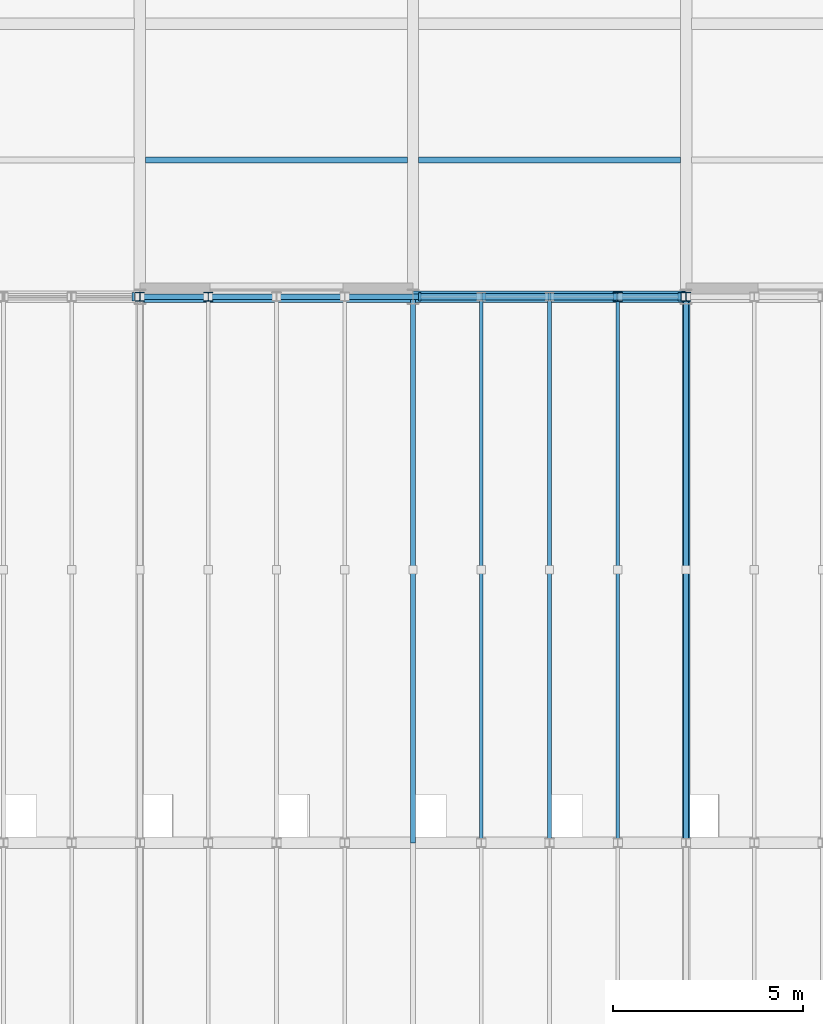
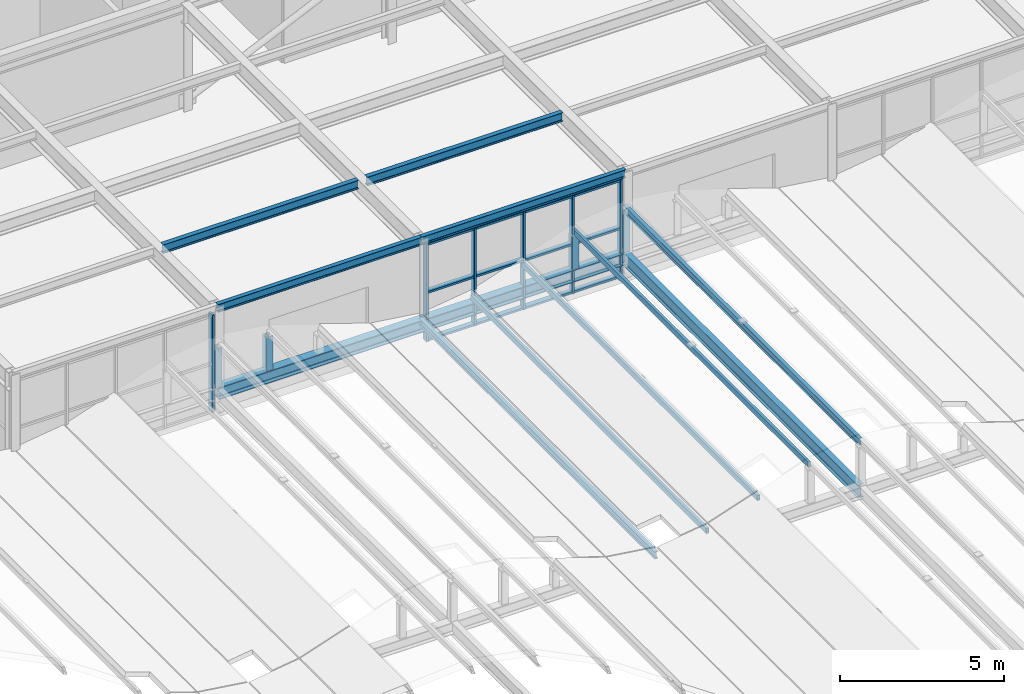
# One storey, part 34 of 83: 18 members, 6 beams, 2 elements without a shape of their own.
"""IFC4 building model written with IfcOpenShell, lengths in metres."""

from ifc_helpers import new_model, si_unit, direction, frame, origin, origin_2d, place, context, subcontext, project, spatial, rectangle, hollow_rectangle, i_section, extrude, material, material_profile, profile_set, type_object, element, aggregate, save


model = new_model("IFC4")

# Units and contexts
model_context = context("Model", 3, precision=1e-05, world=origin(), true_north=direction((0.0, 1.0)))
body_context = subcontext(model_context, "Body", "Model", "MODEL_VIEW")
ifc_project = project(units=[si_unit("LENGTHUNIT", "METRE"), si_unit("AREAUNIT", "SQUARE_METRE"), si_unit("VOLUMEUNIT", "CUBIC_METRE"), si_unit("PLANEANGLEUNIT", "RADIAN"), si_unit("MASSUNIT", "GRAM", prefix="KILO")], contexts=[model_context])

# Site, building, storey
site_placement = place(None, origin())
site = spatial("IfcSite", under=ifc_project, at=site_placement, CompositionType="ELEMENT")
building_placement = place(site_placement, origin())
building = spatial("IfcBuilding", under=site, at=building_placement, Name="Leyfeld Transit Interchange", CompositionType="ELEMENT")
storey_placement = place(building_placement, frame((0.0, 0.0, 5.39990234375)))
storey = spatial("IfcBuildingStorey", under=building, at=storey_placement, Name="L01", CompositionType="ELEMENT", Elevation=5.39990234375)

# Beams
ifc_material_1 = material(Name="Steel S355J2", Category="steel")
ifc_material_profile_1 = material_profile(ifc_material_1, i_section(OverallWidth=0.300048828125, OverallDepth=0.449951171875, WebThickness=0.013916015625, FlangeThickness=0.02587890625, FilletRadius=0.027099609375, at=origin_2d()), Name="HEB 450")
ifc_profile_set_1 = profile_set([ifc_material_profile_1], Name="Steel S355J2")
beam_type_1 = type_object("IfcBeamType", Name="BM-STL-HEB450", PredefinedType="JOIST", material=ifc_profile_set_1)
beam_1_placement = place(storey_placement, frame((144.0, 43.199951171875, 0.675048828125), z_axis=(1.0, 0.0, 0.0), x_axis=(0.0, 1.0, 0.0)))
element("IfcBeam", 1, at=beam_1_placement, inside=storey, type_object=beam_type_1, Name="Bus Canopy Longitudinal Girder R4 B4", PredefinedType="JOIST", context=body_context, shape_type="SweptSolid", body=[
    extrude(i_section(OverallWidth=0.300048828125, OverallDepth=0.449951171875, WebThickness=0.013916015625, FlangeThickness=0.02587890625, FilletRadius=0.027099609375, at=origin_2d()), origin(), (0.0, 0.0, 1.0), 14.39990234375),
])
ifc_material_profile_2 = material_profile(ifc_material_1, i_section(OverallWidth=0.14990234375, OverallDepth=0.300048828125, WebThickness=0.007080078125, FlangeThickness=0.0107421875, FilletRadius=0.014892578125, at=origin_2d()), Name="IPE 300")
ifc_profile_set_2 = profile_set([ifc_material_profile_2], Name="Steel S355J2")
beam_type_2 = type_object("IfcBeamType", Name="BM-STL-IPE300", PredefinedType="SPANDREL", material=ifc_profile_set_2)
for number, where, z_axis, x_axis, name in (
    (2, (144.0, 43.199951171875, 3.800048828125), (1.0, 0.0, 0.0), (0.0, 1.0, 0.0), "Beam BM-L01-1440_0432-1512_0432"),
    (3, (151.199951171875, 43.199951171875, 3.800048828125), (1.0, 0.0, 0.0), (0.0, 1.0, 0.0), "Beam BM-L01-1512_0432-1584_0432"),
):
    element("IfcBeam", number, at=place(storey_placement, frame(where, z_axis=z_axis, x_axis=x_axis)), inside=storey, type_object=beam_type_2, Name=name, PredefinedType="SPANDREL", context=body_context, shape_type="SweptSolid", body=[
        extrude(i_section(OverallWidth=0.14990234375, OverallDepth=0.300048828125, WebThickness=0.007080078125, FlangeThickness=0.0107421875, FilletRadius=0.014892578125, at=origin_2d()), origin(), (0.0, 0.0, 1.0), 7.199951171875),
    ])
ifc_material_profile_3 = material_profile(ifc_material_1, i_section(OverallWidth=0.159912109375, OverallDepth=0.330078125, WebThickness=0.007568359375, FlangeThickness=0.011474609375, FilletRadius=0.01806640625, at=origin_2d()), Name="IPE 330")
ifc_profile_set_3 = profile_set([ifc_material_profile_3], Name="Steel S355J2")
beam_type_3 = type_object("IfcBeamType", Name="BM-STL-IPE330", PredefinedType="BEAM", material=ifc_profile_set_3)
for number, where, z_axis, x_axis, name in (
    (4, (144.14697265625, 46.800048828125, 3.78515625), (1.0, 0.0, 0.0), (0.0, 1.0, 0.0), "Beam BM-L01-1441_0468-1511_0468"),
    (5, (151.346923828125, 46.800048828125, 3.78515625), (1.0, 0.0, 0.0), (0.0, 1.0, 0.0), "Beam BM-L01-1513_0468-1583_0468"),
):
    element("IfcBeam", number, at=place(storey_placement, frame(where, z_axis=z_axis, x_axis=x_axis)), inside=storey, type_object=beam_type_3, Name=name, PredefinedType="BEAM", context=body_context, shape_type="SweptSolid", body=[
        extrude(i_section(OverallWidth=0.159912109375, OverallDepth=0.330078125, WebThickness=0.007568359375, FlangeThickness=0.011474609375, FilletRadius=0.01806640625, at=origin_2d()), origin(), (0.0, 0.0, 1.0), 6.906005859375),
    ])
ifc_material_profile_4 = material_profile(ifc_material_1, i_section(OverallWidth=0.199951171875, OverallDepth=0.5, WebThickness=0.01025390625, FlangeThickness=0.01611328125, FilletRadius=0.02099609375, at=origin_2d()), Name="IPE 500")
ifc_profile_set_4 = profile_set([ifc_material_profile_4], Name="Steel S355J2")
beam_type_4 = type_object("IfcBeamType", Name="BM-STL-IPE500", PredefinedType="BEAM", material=ifc_profile_set_4)
beam_2_placement = place(storey_placement, frame((158.39990234375, 28.800048828125, 0.650146484375), z_axis=(0.0, 1.0, 0.0), x_axis=(-1.0, 0.0, 0.0)))
element("IfcBeam", 6, at=beam_2_placement, inside=storey, type_object=beam_type_4, Name="Bus Canopy Transverse Portal Girder B5 R3", PredefinedType="BEAM", context=body_context, shape_type="SweptSolid", body=[
    extrude(i_section(OverallWidth=0.199951171875, OverallDepth=0.5, WebThickness=0.01025390625, FlangeThickness=0.01611328125, FilletRadius=0.02099609375, at=origin_2d()), origin(), (0.0, 0.0, 1.0), 14.39990234375),
])

# Curtain wall, members
ifc_material_2 = material(Name="Anodised aluminium EN AW-6060 T66", Category="aluminium")
curtain_wall_type = type_object("IfcCurtainWallType", Name="CW-SYS-BUS-7200", PredefinedType="NOTDEFINED", material=ifc_material_2)
curtain_wall_1_placement = place(storey_placement, origin())
curtain_wall_1 = element("IfcCurtainWall", 7, at=curtain_wall_1_placement, inside=storey, type_object=curtain_wall_type, Name="Curtain Wall CW-L01-098", PredefinedType="NOTDEFINED")
ifc_material_profile_5 = material_profile(ifc_material_2, rectangle(XDim=0.074951171875, YDim=0.219970703125, at=origin_2d()), Name="CW-M 75x220")
ifc_profile_set_5 = profile_set([ifc_material_profile_5], Name="Anodised aluminium EN AW-6060 T66")
member_type_1 = type_object("IfcMemberType", Name="CW-MUL-180x70", PredefinedType="MULLION", material=ifc_profile_set_5)
member_1_placement = place(storey_placement, frame((158.222412109375, 43.199951171875, 0.0), z_axis=(0.0, 0.0, 1.0), x_axis=(-1.0, 0.0, 0.0)))
member_1 = element("IfcMember", 8, at=member_1_placement, type_object=member_type_1, Name="Curtain Mullion CW-L01-098-M01", PredefinedType="MULLION", context=body_context, shape_type="SweptSolid", body=[
    extrude(rectangle(XDim=0.074951171875, YDim=0.219970703125, at=origin_2d()), origin(), (0.0, 0.0, 1.0), 3.650146484375),
])
member_2_placement = place(storey_placement, frame((156.530029296875, 43.199951171875, 0.0), z_axis=(0.0, 0.0, 1.0), x_axis=(-1.0, 0.0, 0.0)))
member_2 = element("IfcMember", 9, at=member_2_placement, type_object=member_type_1, Name="Curtain Mullion CW-L01-098-M02", PredefinedType="MULLION", context=body_context, shape_type="SweptSolid", body=[
    extrude(rectangle(XDim=0.074951171875, YDim=0.219970703125, at=origin_2d()), origin(), (0.0, 0.0, 1.0), 3.650146484375),
])
member_3_placement = place(storey_placement, frame((154.800048828125, 43.199951171875, 0.0), z_axis=(0.0, 0.0, 1.0), x_axis=(-1.0, 0.0, 0.0)))
member_3 = element("IfcMember", 10, at=member_3_placement, type_object=member_type_1, Name="Curtain Mullion CW-L01-098-M03", PredefinedType="MULLION", context=body_context, shape_type="SweptSolid", body=[
    extrude(rectangle(XDim=0.074951171875, YDim=0.219970703125, at=origin_2d()), origin(), (0.0, 0.0, 1.0), 3.650146484375),
])
member_4_placement = place(storey_placement, frame((153.070068359375, 43.199951171875, 0.0), z_axis=(0.0, 0.0, 1.0), x_axis=(-1.0, 0.0, 0.0)))
member_4 = element("IfcMember", 11, at=member_4_placement, type_object=member_type_1, Name="Curtain Mullion CW-L01-098-M04", PredefinedType="MULLION", context=body_context, shape_type="SweptSolid", body=[
    extrude(rectangle(XDim=0.074951171875, YDim=0.219970703125, at=origin_2d()), origin(), (0.0, 0.0, 1.0), 3.650146484375),
])
member_5_placement = place(storey_placement, frame((151.37744140625, 43.199951171875, 0.0), z_axis=(0.0, 0.0, 1.0), x_axis=(-1.0, 0.0, 0.0)))
member_5 = element("IfcMember", 12, at=member_5_placement, type_object=member_type_1, Name="Curtain Mullion CW-L01-098-M05", PredefinedType="MULLION", context=body_context, shape_type="SweptSolid", body=[
    extrude(rectangle(XDim=0.074951171875, YDim=0.219970703125, at=origin_2d()), origin(), (0.0, 0.0, 1.0), 3.650146484375),
])

# Curtain wall, member
curtain_wall_2_placement = place(storey_placement, origin())
curtain_wall_2 = element("IfcCurtainWall", 13, at=curtain_wall_2_placement, inside=storey, type_object=curtain_wall_type, Name="Curtain Wall CW-L01-099", PredefinedType="NOTDEFINED")
member_6_placement = place(storey_placement, frame((143.822509765625, 43.199951171875, 0.0), z_axis=(0.0, 0.0, 1.0), x_axis=(-1.0, 0.0, 0.0)))
member_6 = element("IfcMember", 14, at=member_6_placement, type_object=member_type_1, Name="Curtain Mullion CW-L01-099-M01", PredefinedType="MULLION", context=body_context, shape_type="SweptSolid", body=[
    extrude(rectangle(XDim=0.074951171875, YDim=0.219970703125, at=origin_2d()), origin(), (0.0, 0.0, 1.0), 3.650146484375),
])
aggregate(curtain_wall_2, [member_6])

# Member
ifc_material_profile_6 = material_profile(ifc_material_2, rectangle(XDim=0.179931640625, YDim=0.074951171875, at=origin_2d()), Name="CW-TRN-160x70")
ifc_profile_set_6 = profile_set([ifc_material_profile_6], Name="Anodised aluminium EN AW-6060 T66")
member_type_2 = type_object("IfcMemberType", Name="CW-TRN-160x70", PredefinedType="USERDEFINED", material=ifc_profile_set_6)
member_7_placement = place(storey_placement, frame((158.260009765625, 43.199951171875, 0.03759765625), z_axis=(-1.0, 0.0, 0.0), x_axis=(0.0, -1.0, 0.0)))
member_7 = element("IfcMember", 15, at=member_7_placement, type_object=member_type_2, Name="Curtain Transom CW-L01-098-T01", ObjectType="TRANSOM", PredefinedType="USERDEFINED", context=body_context, shape_type="SweptSolid", body=[
    extrude(rectangle(XDim=0.179931640625, YDim=0.074951171875, at=origin_2d()), origin(), (0.0, 0.0, 1.0), 6.919921875),
])

member_8_placement = place(storey_placement, frame((158.260009765625, 43.199951171875, 1.8251953125), z_axis=(-1.0, 0.0, 0.0), x_axis=(0.0, -1.0, 0.0)))
member_8 = element("IfcMember", 16, at=member_8_placement, type_object=member_type_2, Name="Curtain Transom CW-L01-098-T02", ObjectType="TRANSOM", PredefinedType="USERDEFINED", context=body_context, shape_type="SweptSolid", body=[
    extrude(rectangle(XDim=0.179931640625, YDim=0.074951171875, at=origin_2d()), origin(), (0.0, 0.0, 1.0), 6.919921875),
])

member_9_placement = place(storey_placement, frame((158.260009765625, 43.199951171875, 3.612548828125), z_axis=(-1.0, 0.0, 0.0), x_axis=(0.0, -1.0, 0.0)))
member_9 = element("IfcMember", 17, at=member_9_placement, type_object=member_type_2, Name="Curtain Transom CW-L01-098-T03", ObjectType="TRANSOM", PredefinedType="USERDEFINED", context=body_context, shape_type="SweptSolid", body=[
    extrude(rectangle(XDim=0.179931640625, YDim=0.074951171875, at=origin_2d()), origin(), (0.0, 0.0, 1.0), 6.919921875),
])

aggregate(curtain_wall_1, [member_1, member_2, member_3, member_4, member_5, member_7, member_8, member_9])

# Members
ifc_material_profile_7 = material_profile(ifc_material_1, i_section(OverallWidth=0.239990234375, OverallDepth=0.22998046875, WebThickness=0.007568359375, FlangeThickness=0.011962890625, FilletRadius=0.02099609375, at=origin_2d()), Name="HEA 240")
ifc_profile_set_7 = profile_set([ifc_material_profile_7], Name="Steel S355J2")
member_type_3 = type_object("IfcMemberType", Name="MEM-CHD-HEA240", PredefinedType="CHORD", material=ifc_profile_set_7)
member_10_placement = place(storey_placement, frame((144.0, 43.199951171875, 0.860107421875), z_axis=(0.0, 0.0, 1.0), x_axis=(1.0, 0.0, 0.0)))
element("IfcMember", 18, at=member_10_placement, inside=storey, type_object=member_type_3, Name="Wave Canopy Riser Post 163", PredefinedType="CHORD", context=body_context, shape_type="SweptSolid", body=[
    extrude(i_section(OverallWidth=0.239990234375, OverallDepth=0.22998046875, WebThickness=0.007568359375, FlangeThickness=0.011962890625, FilletRadius=0.02099609375, at=origin_2d()), origin(), (0.0, 0.0, 1.0), 1.488037109375),
])
for number, where, z_axis, x_axis, name in (
    (19, (145.800048828125, 43.199951171875, 0.860107421875), (0.0, 0.0, 1.0), (1.0, 0.0, 0.0), "Wave Canopy Riser Post 170"),
    (20, (156.60009765625, 43.199951171875, 0.860107421875), (0.0, 0.0, 1.0), (1.0, 0.0, 0.0), "Wave Canopy Riser Post 208"),
):
    element("IfcMember", number, at=place(storey_placement, frame(where, z_axis=z_axis, x_axis=x_axis)), inside=storey, type_object=member_type_3, Name=name, PredefinedType="CHORD", context=body_context, shape_type="SweptSolid", body=[
        extrude(i_section(OverallWidth=0.239990234375, OverallDepth=0.22998046875, WebThickness=0.007568359375, FlangeThickness=0.011962890625, FilletRadius=0.02099609375, at=origin_2d()), origin(), (0.0, 0.0, 1.0), 1.2998046875),
    ])
member_11_placement = place(storey_placement, frame((158.39990234375, 43.199951171875, 0.860107421875), z_axis=(0.0, 0.0, 1.0), x_axis=(1.0, 0.0, 0.0)))
element("IfcMember", 21, at=member_11_placement, inside=storey, type_object=member_type_3, Name="Wave Canopy Riser Post 215", PredefinedType="CHORD", context=body_context, shape_type="SweptSolid", body=[
    extrude(i_section(OverallWidth=0.239990234375, OverallDepth=0.22998046875, WebThickness=0.007568359375, FlangeThickness=0.011962890625, FilletRadius=0.02099609375, at=origin_2d()), origin(), (0.0, 0.0, 1.0), 1.488037109375),
])
ifc_material_profile_8 = material_profile(ifc_material_1, i_section(OverallWidth=0.135009765625, OverallDepth=0.27001953125, WebThickness=0.006591796875, FlangeThickness=0.01025390625, FilletRadius=0.014892578125, at=origin_2d()), Name="IPE 270")
ifc_profile_set_8 = profile_set([ifc_material_profile_8], Name="Steel S355J2")
member_type_4 = type_object("IfcMemberType", Name="MEM-PUR-IPE270", PredefinedType="PURLIN", material=ifc_profile_set_8)
for number, where, z_axis, x_axis, name in (
    (22, (151.199951171875, 28.800048828125, 0.777587890625), (0.0, 1.0, 0.0), (-1.0, 0.0, 0.0), "Bus Canopy Purlin 187"),
    (23, (158.39990234375, 28.800048828125, 2.483154296875), (0.0, 1.0, 0.0), (-1.0, 0.0, 0.0), "Bus Canopy Purlin 213"),
):
    element("IfcMember", number, at=place(storey_placement, frame(where, z_axis=z_axis, x_axis=x_axis)), inside=storey, type_object=member_type_4, Name=name, PredefinedType="PURLIN", context=body_context, shape_type="SweptSolid", body=[
        extrude(i_section(OverallWidth=0.135009765625, OverallDepth=0.27001953125, WebThickness=0.006591796875, FlangeThickness=0.01025390625, FilletRadius=0.014892578125, at=origin_2d()), origin(), (0.0, 0.0, 1.0), 14.39990234375),
    ])
ifc_material_profile_9 = material_profile(ifc_material_1, hollow_rectangle(XDim=0.10009765625, YDim=0.199951171875, WallThickness=0.008056640625, at=origin_2d()), Name="RHS 200x100x8")
ifc_profile_set_9 = profile_set([ifc_material_profile_9], Name="Steel S355J2")
member_type_5 = type_object("IfcMemberType", Name="MEM-PUR-RHS200", PredefinedType="PURLIN", material=ifc_profile_set_9)
for number, where, z_axis, x_axis, name in (
    (24, (153.0, 28.800048828125, 1.0546875), (0.0, 1.0, 0.0), (-1.0, 0.0, 0.0), "Bus Canopy Purlin 192"),
    (25, (154.800048828125, 28.800048828125, 1.656494140625), (0.0, 1.0, 0.0), (-1.0, 0.0, 0.0), "Bus Canopy Purlin 199"),
    (26, (156.60009765625, 28.800048828125, 2.259765625), (0.0, 1.0, 0.0), (-1.0, 0.0, 0.0), "Bus Canopy Purlin 206"),
):
    element("IfcMember", number, at=place(storey_placement, frame(where, z_axis=z_axis, x_axis=x_axis)), inside=storey, type_object=member_type_5, Name=name, PredefinedType="PURLIN", context=body_context, shape_type="SweptSolid", body=[
        extrude(hollow_rectangle(XDim=0.10009765625, YDim=0.199951171875, WallThickness=0.008056640625, at=origin_2d()), origin(), (0.0, 0.0, 1.0), 14.39990234375),
    ])

save(model, "model.ifc")
